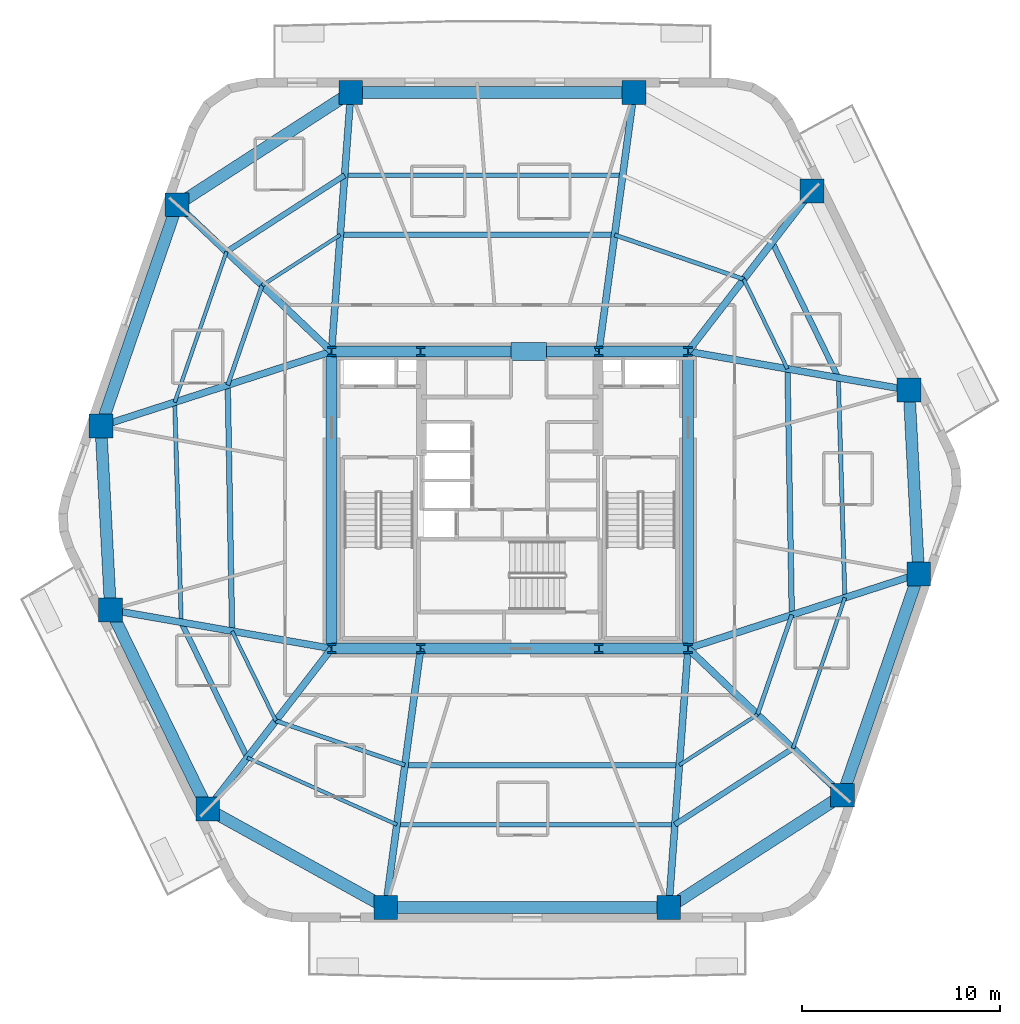
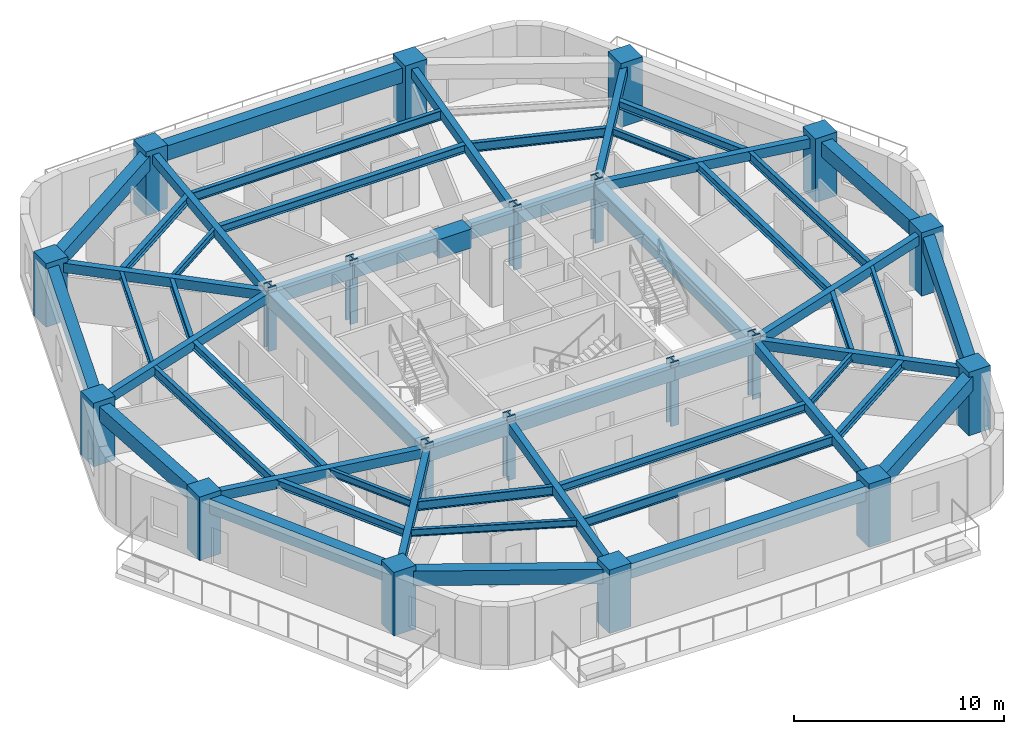
# One storey, part 1 of 9: 54 beams, 20 columns.
"""IFC4 building model written with IfcOpenShell, lengths in metres."""

import ifcopenshell
import ifcopenshell.guid

model = None  # the IFC model being written
_history = None  # IfcOwnerHistory: only IFC2X3 demands one
_inside = {}  # id of a spatial element -> (the spatial element, [elements in it])
_under = {}  # id of a project, library or spatial element -> (it, [spatial elements below it])
_declared = {}  # id of a project -> (the project, [libraries it declares])
_typed = {}  # id of a type object -> (the type object, [elements of that type])
_made_of = {}  # id of a material, layer set ... -> (it, [elements and type objects made of it])


def new_model(schema):
    """Start an empty IFC model of exactly this schema.

    Asked for "IFC4X3", IfcOpenShell would pick the latest addendum, in which some entities
    have other attributes; the version numbers below select the first issue.
    IFC2X3 requires an IfcOwnerHistory on every rooted entity: one is made here for all.
    """
    global model, _history
    if schema == "IFC4X3":
        model = ifcopenshell.file(schema_version=(4, 3, 0, 0))
    else:
        model = ifcopenshell.file(schema=schema)
    _inside.clear()
    _under.clear()
    _declared.clear()
    _typed.clear()
    _made_of.clear()
    _history = None
    if model.schema == "IFC2X3":
        org = make("IfcOrganization", Name="unknown")
        user = make(
            "IfcPersonAndOrganization",
            ThePerson=make("IfcPerson", FamilyName="unknown"),
            TheOrganization=org,
        )
        app = make(
            "IfcApplication",
            ApplicationDeveloper=org,
            Version="unknown",
            ApplicationFullName="unknown",
            ApplicationIdentifier="unknown",
        )
        _history = make(
            "IfcOwnerHistory",
            OwningUser=user,
            OwningApplication=app,
            ChangeAction="ADDED",
            CreationDate=0,
        )
    return model


def make(cls, **values):
    """One entity of the class cls with the attributes given. An attribute that is None is left unset."""
    return model.create_entity(
        cls, **{name: value for name, value in values.items() if value is not None}
    )


def rooted(cls, **values):
    """An entity with a GlobalId (a new one), such as an element, a storey or a relation."""
    return make(cls, GlobalId=ifcopenshell.guid.new(), OwnerHistory=_history, **values)


def si_unit(unit_type, name, prefix=None):
    """IfcSIUnit, for example si_unit("LENGTHUNIT", "METRE", prefix="MILLI")."""
    return make("IfcSIUnit", UnitType=unit_type, Prefix=prefix, Name=name)


def assignment(units):
    """IfcUnitAssignment: the units of a project."""
    return None if units is None else make("IfcUnitAssignment", Units=units)


def point(xyz):
    """IfcCartesianPoint."""
    return None if xyz is None else make("IfcCartesianPoint", Coordinates=xyz)


def direction(xyz):
    """IfcDirection."""
    return None if xyz is None else make("IfcDirection", DirectionRatios=xyz)


def frame(location, z_axis=None, x_axis=None):
    """IfcAxis2Placement3D, a coordinate frame: its origin and axes. An axis left out is left unset."""
    return make(
        "IfcAxis2Placement3D",
        Location=point(location),
        Axis=direction(z_axis),
        RefDirection=direction(x_axis),
    )


def frame_2d(location, x_axis=None):
    """IfcAxis2Placement2D, a coordinate frame in the plane: its origin and x axis."""
    return make(
        "IfcAxis2Placement2D", Location=point(location), RefDirection=direction(x_axis)
    )


def origin():
    """The frame at (0, 0, 0) with its axes left unset."""
    return frame((0.0, 0.0, 0.0))


def origin_2d():
    """The frame at (0, 0) in the plane with its x axis left unset."""
    return frame_2d((0.0, 0.0))


def place(relative_to, where):
    """IfcLocalPlacement: puts the frame where relative to a parent placement (None: the world)."""
    return make(
        "IfcLocalPlacement", PlacementRelTo=relative_to, RelativePlacement=where
    )


def context(
    kind, dimensions, precision=None, world=None, true_north=None, identifier=None
):
    """IfcGeometricRepresentationContext, for example the 3D "Model" context."""
    return make(
        "IfcGeometricRepresentationContext",
        ContextIdentifier=identifier,
        ContextType=kind,
        CoordinateSpaceDimension=dimensions,
        Precision=precision,
        WorldCoordinateSystem=world,
        TrueNorth=true_north,
    )


def subcontext(parent, identifier, kind, view, scale=None):
    """IfcGeometricRepresentationSubContext, for example "Body" below "Model"."""
    return make(
        "IfcGeometricRepresentationSubContext",
        ContextIdentifier=identifier,
        ContextType=kind,
        ParentContext=parent,
        TargetScale=scale,
        TargetView=view,
    )


def project(units=None, contexts=None):
    """IfcProject with its units and contexts."""
    return rooted(
        "IfcProject",
        Name="project",
        RepresentationContexts=contexts,
        UnitsInContext=assignment(units),
    )


def spatial(cls, under=None, at=None, **own):
    """A site, building, storey or space (cls), placed at a placement, below another one or the project."""
    s = rooted(cls, ObjectPlacement=at, **own)
    if under is not None:
        _under.setdefault(under.id(), (under, []))[1].append(s)
    return s


def profile(cls, at=None, kind="AREA", **sizes):
    """A parametric profile (cls). Its sizes go by their IFC names, for example OverallWidth=200.0."""
    return make(cls, ProfileType=kind, Position=at, **sizes)


def rectangle(**sizes):
    """IfcRectangleProfileDef."""
    return profile("IfcRectangleProfileDef", **sizes)


def i_section(**sizes):
    """IfcIShapeProfileDef."""
    return profile("IfcIShapeProfileDef", **sizes)


def extrude(swept, where, along, depth):
    """IfcExtrudedAreaSolid: the profile swept, set in the frame where, extruded along a direction by depth."""
    return make(
        "IfcExtrudedAreaSolid",
        SweptArea=swept,
        Position=where,
        ExtrudedDirection=direction(along),
        Depth=depth,
    )


def shape(context_of_items, identifier, shape_type, items):
    """IfcShapeRepresentation: the items that make up one representation, for example the "Body"."""
    return make(
        "IfcShapeRepresentation",
        ContextOfItems=context_of_items,
        RepresentationIdentifier=identifier,
        RepresentationType=shape_type,
        Items=items,
    )


def material(Name=None, Category=None):
    """IfcMaterial."""
    return make("IfcMaterial", Name=Name, Category=Category)


def material_profile(
    of_material, cross_section, Name=None, Category=None, Priority=None
):
    """IfcMaterialProfile: a cross section and its material."""
    return make(
        "IfcMaterialProfile",
        Name=Name,
        Material=of_material,
        Profile=cross_section,
        Priority=Priority,
        Category=Category,
    )


def profile_set(profiles, Name=None, composite=None):
    """IfcMaterialProfileSet."""
    return make(
        "IfcMaterialProfileSet",
        Name=Name,
        MaterialProfiles=profiles,
        CompositeProfile=composite,
    )


def made_of(thing, what):
    """Note that an element or type object is made of a material, layer set ...; save() writes the relation."""
    if what is not None:
        _made_of.setdefault(what.id(), (what, []))[1].append(thing)
    return thing


def type_object(cls, material=None, **own):
    """A type object (cls), such as IfcWallType, which elements share."""
    return made_of(rooted(cls, **own), material)


def element(
    cls,
    number,
    at=None,
    inside=None,
    cuts=None,
    type_object=None,
    material=None,
    context=None,
    identifier="Body",
    shape_type=None,
    held_by="IfcProductDefinitionShape",
    body=None,
    shapes=None,
    **own,
):
    """One element of the class cls, such as IfcWall. Its Tag is "e" and its number.

    at: its placement. inside: the storey or other place that contains it. cuts: it is an
    opening in that element (IfcRelVoidsElement). A single representation is given by context,
    identifier, shape_type and body (its items); several are given by shapes. held_by: the class
    of the entity that holds the representations. save() writes the other relations.
    """
    e = rooted(cls, Tag="e%d" % number, ObjectPlacement=at, **own)
    if body is not None:
        shapes = [shape(context, identifier, shape_type, body)]
    if shapes is not None:
        e.Representation = make(held_by, Representations=shapes)
    if inside is not None:
        _inside.setdefault(inside.id(), (inside, []))[1].append(e)
    if cuts is not None:
        rooted(
            "IfcRelVoidsElement", RelatingBuildingElement=cuts, RelatedOpeningElement=e
        )
    if type_object is not None:
        _typed.setdefault(type_object.id(), (type_object, []))[1].append(e)
    return made_of(e, material)


def aggregate(whole, parts):
    """IfcRelAggregates: a whole, such as a stair, and the parts it consists of."""
    return rooted("IfcRelAggregates", RelatingObject=whole, RelatedObjects=parts)


def save(model, path):
    """Write the relations noted so far, then the file.

    IfcRelAggregates (storeys below a building ...), IfcRelContainedInSpatialStructure (elements
    in a storey), IfcRelDefinesByType, IfcRelAssociatesMaterial and IfcRelDeclares: one each for
    every whole, place, type object, material and project.
    """
    for whole, parts in _under.values():
        aggregate(whole, parts)
    for where, things in _inside.values():
        rooted(
            "IfcRelContainedInSpatialStructure",
            RelatedElements=things,
            RelatingStructure=where,
        )
    for kind, things in _typed.values():
        rooted("IfcRelDefinesByType", RelatedObjects=things, RelatingType=kind)
    for what, things in _made_of.values():
        rooted("IfcRelAssociatesMaterial", RelatedObjects=things, RelatingMaterial=what)
    for by, libraries in _declared.values():
        rooted("IfcRelDeclares", RelatingContext=by, RelatedDefinitions=libraries)
    model.write(path)


model = new_model("IFC4")

# Units and contexts
model_context = context("Model", 3, precision=1e-05, world=origin(), true_north=direction((0.0, 1.0)))
body_context = subcontext(model_context, "Body", "Model", "MODEL_VIEW")
ifc_project = project(units=[si_unit("LENGTHUNIT", "METRE"), si_unit("AREAUNIT", "SQUARE_METRE"), si_unit("VOLUMEUNIT", "CUBIC_METRE"), si_unit("PLANEANGLEUNIT", "RADIAN"), si_unit("MASSUNIT", "GRAM", prefix="KILO")], contexts=[model_context])

# Site, building, storey
site_placement = place(None, origin())
site = spatial("IfcSite", under=ifc_project, at=site_placement, CompositionType="ELEMENT")
building_placement = place(site_placement, origin())
building = spatial("IfcBuilding", under=site, at=building_placement, Name="Kilnhurst Terrace Hotel", CompositionType="ELEMENT")
storey_placement = place(building_placement, frame((0.0, 0.0, 128.39990234375)))
storey = spatial("IfcBuildingStorey", under=building, at=storey_placement, Name="L31", CompositionType="ELEMENT", Elevation=128.39990234375)

# Columns
ifc_material_1 = material(Name="Concrete C80/95", Category="concrete")
ifc_material_profile_1 = material_profile(ifc_material_1, rectangle(XDim=1.199951171875, YDim=1.199951171875, at=origin_2d()), Name="RC1200X1200")
ifc_profile_set_1 = profile_set([ifc_material_profile_1], Name="Concrete C80/95")
column_type_1 = type_object("IfcColumnType", Name="COL-RC-1200", PredefinedType="COLUMN", material=ifc_profile_set_1)
for number, where, z_axis, x_axis, name in (
    (1, (-6.26806640625, -20.580078125, 0.0), (0.0, 0.0, 1.0), (1.0, 0.0, 0.0), "L31 Structural Column PC-F11"),
    (2, (8.028076171875, -20.580078125, 0.0), (0.0, 0.0, 1.0), (1.0, 0.0, 0.0), "L31 Structural Column PC-F12"),
    (3, (16.800048828125, -14.910888671875, 0.0), (0.0, 0.0, 1.0), (1.0, 0.0, 0.0), "L31 Structural Column PC-F21"),
    (4, (20.64990234375, -3.73095703125, 0.0), (0.0, 0.0, 1.0), (1.0, 0.0, 0.0), "L31 Structural Column PC-F22"),
    (5, (20.1640625, 5.549072265625, 0.0), (0.0, 0.0, 1.0), (1.0, 0.0, 0.0), "L31 Structural Column PC-F31"),
    (6, (15.257080078125, 15.60888671875, 0.0), (0.0, 0.0, 1.0), (1.0, 0.0, 0.0), "L31 Structural Column PC-F32"),
    (7, (6.26806640625, 20.580078125, 0.0), (0.0, 0.0, 1.0), (1.0, 0.0, 0.0), "L31 Structural Column PC-F41"),
    (8, (-8.028076171875, 20.580078125, 0.0), (0.0, 0.0, 1.0), (1.0, 0.0, 0.0), "L31 Structural Column PC-F42"),
    (9, (-16.800048828125, 14.910888671875, 0.0), (0.0, 0.0, 1.0), (1.0, 0.0, 0.0), "L31 Structural Column PC-F51"),
    (10, (-20.64990234375, 3.73095703125, 0.0), (0.0, 0.0, 1.0), (1.0, 0.0, 0.0), "L31 Structural Column PC-F52"),
    (11, (-20.1640625, -5.549072265625, 0.0), (0.0, 0.0, 1.0), (1.0, 0.0, 0.0), "L31 Structural Column PC-F61"),
    (12, (-15.257080078125, -15.60888671875, 0.0), (0.0, 0.0, 1.0), (1.0, 0.0, 0.0), "L31 Structural Column PC-F62"),
):
    element("IfcColumn", number, at=place(storey_placement, frame(where, z_axis=z_axis, x_axis=x_axis)), inside=storey, type_object=column_type_1, Name=name, PredefinedType="COLUMN", context=body_context, shape_type="SweptSolid", body=[
        extrude(rectangle(XDim=1.199951171875, YDim=1.199951171875, at=origin_2d()), origin(), (0.0, 0.0, 1.0), 3.7001953125),
    ])
ifc_material_2 = material(Name="Steel ASTM A992 Grade 50", Category="steel")
ifc_material_profile_2 = material_profile(ifc_material_2, i_section(OverallWidth=0.43212890625, OverallDepth=0.497802734375, WebThickness=0.0556640625, FlangeThickness=0.0888671875, at=origin_2d()), Name="W14X500")
ifc_profile_set_2 = profile_set([ifc_material_profile_2], Name="Steel ASTM A992 Grade 50")
column_type_2 = type_object("IfcColumnType", Name="COL-STL-W14X500", PredefinedType="COLUMN", material=ifc_profile_set_2)
for number, where, z_axis, x_axis, name in (
    (13, (-9.0, -7.5, 0.0), (0.0, 0.0, 1.0), (1.0, 0.0, 0.0), "L31 Structural Column CC-SW"),
    (14, (-4.5, -7.5, 0.0), (0.0, 0.0, 1.0), (1.0, 0.0, 0.0), "L31 Structural Column CC-SC1"),
    (15, (4.5, -7.5, 0.0), (0.0, 0.0, 1.0), (1.0, 0.0, 0.0), "L31 Structural Column CC-SC2"),
    (16, (9.0, -7.5, 0.0), (0.0, 0.0, 1.0), (1.0, 0.0, 0.0), "L31 Structural Column CC-SE"),
    (17, (9.0, 7.5, 0.0), (0.0, 0.0, 1.0), (1.0, 0.0, 0.0), "L31 Structural Column CC-NE"),
    (18, (4.5, 7.5, 0.0), (0.0, 0.0, 1.0), (1.0, 0.0, 0.0), "L31 Structural Column CC-NC2"),
    (19, (-4.5, 7.5, 0.0), (0.0, 0.0, 1.0), (1.0, 0.0, 0.0), "L31 Structural Column CC-NC1"),
    (20, (-9.0, 7.5, 0.0), (0.0, 0.0, 1.0), (1.0, 0.0, 0.0), "L31 Structural Column CC-NW"),
):
    element("IfcColumn", number, at=place(storey_placement, frame(where, z_axis=z_axis, x_axis=x_axis)), inside=storey, type_object=column_type_2, Name=name, PredefinedType="COLUMN", context=body_context, shape_type="SweptSolid", body=[
        extrude(i_section(OverallWidth=0.43212890625, OverallDepth=0.497802734375, WebThickness=0.0556640625, FlangeThickness=0.0888671875, at=origin_2d()), origin(), (0.0, 0.0, 1.0), 3.7001953125),
    ])

# Beams
ifc_material_3 = material(Name="Concrete C50/60", Category="concrete")
ifc_material_profile_3 = material_profile(ifc_material_3, rectangle(XDim=0.35009765625, YDim=0.550048828125, at=origin_2d()), Name="RC350X550")
ifc_profile_set_3 = profile_set([ifc_material_profile_3], Name="Concrete C50/60")
beam_type_1 = type_object("IfcBeamType", Name="BM-RAD-350X550", PredefinedType="BEAM", material=ifc_profile_set_3)
beam_1_placement = place(storey_placement, frame((-4.5, -7.5, 3.125), z_axis=(-0.133954226177, -0.990987520249, 0.0), x_axis=(0.990987520249, -0.133954226177, 0.0)))
element("IfcBeam", 21, at=beam_1_placement, inside=storey, type_object=beam_type_1, Name="L31 Radial Floor Beam 1", PredefinedType="BEAM", context=body_context, shape_type="SweptSolid", body=[
    extrude(rectangle(XDim=0.35009765625, YDim=0.550048828125, at=origin_2d()), origin(), (0.0, 0.0, 1.0), 13.198974609375),
])
beam_2_placement = place(storey_placement, frame((9.0, -7.5, 3.125), z_axis=(-0.074101371747, -0.997250714066, 0.0), x_axis=(0.997250714066, -0.074101371747, 0.0)))
element("IfcBeam", 22, at=beam_2_placement, inside=storey, type_object=beam_type_1, Name="L31 Radial Floor Beam 2", PredefinedType="BEAM", context=body_context, shape_type="SweptSolid", body=[
    extrude(rectangle(XDim=0.35009765625, YDim=0.550048828125, at=origin_2d()), origin(), (0.0, 0.0, 1.0), 13.1162109375),
])
beam_3_placement = place(storey_placement, frame((9.0, -7.5, 3.125), z_axis=(0.724960341586, -0.688790609059, 0.0), x_axis=(0.688790609059, 0.724960341586, 0.0)))
element("IfcBeam", 23, at=beam_3_placement, inside=storey, type_object=beam_type_1, Name="L31 Radial Floor Beam 3", PredefinedType="BEAM", context=body_context, shape_type="SweptSolid", body=[
    extrude(rectangle(XDim=0.35009765625, YDim=0.550048828125, at=origin_2d()), origin(), (0.0, 0.0, 1.0), 10.75927734375),
])
beam_4_placement = place(storey_placement, frame((9.0, -7.5, 3.125), z_axis=(0.951445549065, 0.307817100182, 0.0), x_axis=(-0.307817100182, 0.951445549065, 0.0)))
element("IfcBeam", 24, at=beam_4_placement, inside=storey, type_object=beam_type_1, Name="L31 Radial Floor Beam 4", PredefinedType="BEAM", context=body_context, shape_type="SweptSolid", body=[
    extrude(rectangle(XDim=0.35009765625, YDim=0.550048828125, at=origin_2d()), origin(), (0.0, 0.0, 1.0), 12.244384765625),
])
beam_5_placement = place(storey_placement, frame((9.0, 7.5, 3.125), z_axis=(0.985072137567, -0.172142045384, 0.0), x_axis=(0.172142045384, 0.985072137567, 0.0)))
element("IfcBeam", 25, at=beam_5_placement, inside=storey, type_object=beam_type_1, Name="L31 Radial Floor Beam 5", PredefinedType="BEAM", context=body_context, shape_type="SweptSolid", body=[
    extrude(rectangle(XDim=0.35009765625, YDim=0.550048828125, at=origin_2d()), origin(), (0.0, 0.0, 1.0), 11.333251953125),
])
beam_6_placement = place(storey_placement, frame((9.0, 7.5, 3.125), z_axis=(0.610904638371, 0.79170418896, 0.0), x_axis=(-0.79170418896, 0.610904638371, 0.0)))
element("IfcBeam", 26, at=beam_6_placement, inside=storey, type_object=beam_type_1, Name="L31 Radial Floor Beam 6", PredefinedType="BEAM", context=body_context, shape_type="SweptSolid", body=[
    extrude(rectangle(XDim=0.35009765625, YDim=0.550048828125, at=origin_2d()), origin(), (0.0, 0.0, 1.0), 10.242431640625),
])
beam_7_placement = place(storey_placement, frame((4.5, 7.5, 3.125), z_axis=(0.133954226177, 0.990987520249, 0.0), x_axis=(-0.990987520249, 0.133954226177, 0.0)))
element("IfcBeam", 27, at=beam_7_placement, inside=storey, type_object=beam_type_1, Name="L31 Radial Floor Beam 7", PredefinedType="BEAM", context=body_context, shape_type="SweptSolid", body=[
    extrude(rectangle(XDim=0.35009765625, YDim=0.550048828125, at=origin_2d()), origin(), (0.0, 0.0, 1.0), 13.198974609375),
])
beam_8_placement = place(storey_placement, frame((-9.0, 7.5, 3.125), z_axis=(0.074101371747, 0.997250714066, 0.0), x_axis=(-0.997250714066, 0.074101371747, 0.0)))
element("IfcBeam", 28, at=beam_8_placement, inside=storey, type_object=beam_type_1, Name="L31 Radial Floor Beam 8", PredefinedType="BEAM", context=body_context, shape_type="SweptSolid", body=[
    extrude(rectangle(XDim=0.35009765625, YDim=0.550048828125, at=origin_2d()), origin(), (0.0, 0.0, 1.0), 13.1162109375),
])
beam_9_placement = place(storey_placement, frame((-9.0, 7.5, 3.125), z_axis=(-0.724960341586, 0.688790609059, 0.0), x_axis=(-0.688790609059, -0.724960341586, 0.0)))
element("IfcBeam", 29, at=beam_9_placement, inside=storey, type_object=beam_type_1, Name="L31 Radial Floor Beam 9", PredefinedType="BEAM", context=body_context, shape_type="SweptSolid", body=[
    extrude(rectangle(XDim=0.35009765625, YDim=0.550048828125, at=origin_2d()), origin(), (0.0, 0.0, 1.0), 10.75927734375),
])
beam_10_placement = place(storey_placement, frame((-9.0, 7.5, 3.125), z_axis=(-0.951445549065, -0.307817100182, 0.0), x_axis=(0.307817100182, -0.951445549065, 0.0)))
element("IfcBeam", 30, at=beam_10_placement, inside=storey, type_object=beam_type_1, Name="L31 Radial Floor Beam 10", PredefinedType="BEAM", context=body_context, shape_type="SweptSolid", body=[
    extrude(rectangle(XDim=0.35009765625, YDim=0.550048828125, at=origin_2d()), origin(), (0.0, 0.0, 1.0), 12.244384765625),
])
beam_11_placement = place(storey_placement, frame((-9.0, -7.5, 3.125), z_axis=(-0.985072137567, 0.172142045384, 0.0), x_axis=(-0.172142045384, -0.985072137567, 0.0)))
element("IfcBeam", 31, at=beam_11_placement, inside=storey, type_object=beam_type_1, Name="L31 Radial Floor Beam 11", PredefinedType="BEAM", context=body_context, shape_type="SweptSolid", body=[
    extrude(rectangle(XDim=0.35009765625, YDim=0.550048828125, at=origin_2d()), origin(), (0.0, 0.0, 1.0), 11.333251953125),
])
beam_12_placement = place(storey_placement, frame((-9.0, -7.5, 3.125), z_axis=(-0.610904638371, -0.79170418896, 0.0), x_axis=(0.79170418896, -0.610904638371, 0.0)))
element("IfcBeam", 32, at=beam_12_placement, inside=storey, type_object=beam_type_1, Name="L31 Radial Floor Beam 12", PredefinedType="BEAM", context=body_context, shape_type="SweptSolid", body=[
    extrude(rectangle(XDim=0.35009765625, YDim=0.550048828125, at=origin_2d()), origin(), (0.0, 0.0, 1.0), 10.242431640625),
])
ifc_material_profile_4 = material_profile(ifc_material_3, rectangle(XDim=0.550048828125, YDim=0.75, at=origin_2d()), Name="RC550X750")
ifc_profile_set_4 = profile_set([ifc_material_profile_4], Name="Concrete C50/60")
beam_type_2 = type_object("IfcBeamType", Name="BM-SPN-550X750", PredefinedType="SPANDREL", material=ifc_profile_set_4)
beam_13_placement = place(storey_placement, frame((-9.0, 7.5, 3.025146484375), z_axis=(1.0, 0.0, 0.0), x_axis=(0.0, 1.0, 0.0)))
element("IfcBeam", 33, at=beam_13_placement, inside=storey, type_object=beam_type_2, Name="L31 Core Tie Beam CC-NW to CC-NC1", PredefinedType="SPANDREL", context=body_context, shape_type="SweptSolid", body=[
    extrude(rectangle(XDim=0.550048828125, YDim=0.75, at=origin_2d()), origin(), (0.0, 0.0, 1.0), 4.5),
])
beam_14_placement = place(storey_placement, frame((-4.5, 7.5, 3.025146484375), z_axis=(1.0, 0.0, 0.0), x_axis=(0.0, 1.0, 0.0)))
element("IfcBeam", 34, at=beam_14_placement, inside=storey, type_object=beam_type_2, Name="L31 Core Tie Beam CC-NC1 to CC-NC2", PredefinedType="SPANDREL", context=body_context, shape_type="SweptSolid", body=[
    extrude(rectangle(XDim=0.550048828125, YDim=0.75, at=origin_2d()), origin(), (0.0, 0.0, 1.0), 9.0),
])
for number, where, z_axis, x_axis, name in (
    (35, (4.5, 7.5, 3.025146484375), (1.0, 0.0, 0.0), (0.0, 1.0, 0.0), "L31 Core Tie Beam CC-NC2 to CC-NE"),
    (36, (-9.0, -7.5, 3.025146484375), (1.0, 0.0, 0.0), (0.0, 1.0, 0.0), "L31 Core Tie Beam CC-SW to CC-SC1"),
):
    element("IfcBeam", number, at=place(storey_placement, frame(where, z_axis=z_axis, x_axis=x_axis)), inside=storey, type_object=beam_type_2, Name=name, PredefinedType="SPANDREL", context=body_context, shape_type="SweptSolid", body=[
        extrude(rectangle(XDim=0.550048828125, YDim=0.75, at=origin_2d()), origin(), (0.0, 0.0, 1.0), 4.5),
    ])
beam_15_placement = place(storey_placement, frame((-4.5, -7.5, 3.025146484375), z_axis=(1.0, 0.0, 0.0), x_axis=(0.0, 1.0, 0.0)))
element("IfcBeam", 37, at=beam_15_placement, inside=storey, type_object=beam_type_2, Name="L31 Core Tie Beam CC-SC1 to CC-SC2", PredefinedType="SPANDREL", context=body_context, shape_type="SweptSolid", body=[
    extrude(rectangle(XDim=0.550048828125, YDim=0.75, at=origin_2d()), origin(), (0.0, 0.0, 1.0), 9.0),
])
beam_16_placement = place(storey_placement, frame((4.5, -7.5, 3.025146484375), z_axis=(1.0, 0.0, 0.0), x_axis=(0.0, 1.0, 0.0)))
element("IfcBeam", 38, at=beam_16_placement, inside=storey, type_object=beam_type_2, Name="L31 Core Tie Beam CC-SC2 to CC-SE", PredefinedType="SPANDREL", context=body_context, shape_type="SweptSolid", body=[
    extrude(rectangle(XDim=0.550048828125, YDim=0.75, at=origin_2d()), origin(), (0.0, 0.0, 1.0), 4.5),
])
for number, where, z_axis, x_axis, name in (
    (39, (-9.0, -7.5, 3.025146484375), (0.0, 1.0, 0.0), (-1.0, 0.0, 0.0), "L31 Core Tie Beam CC-SW to CC-NW"),
    (40, (9.0, -7.5, 3.025146484375), (0.0, 1.0, 0.0), (-1.0, 0.0, 0.0), "L31 Core Tie Beam CC-SE to CC-NE"),
):
    element("IfcBeam", number, at=place(storey_placement, frame(where, z_axis=z_axis, x_axis=x_axis)), inside=storey, type_object=beam_type_2, Name=name, PredefinedType="SPANDREL", context=body_context, shape_type="SweptSolid", body=[
        extrude(rectangle(XDim=0.550048828125, YDim=0.75, at=origin_2d()), origin(), (0.0, 0.0, 1.0), 15.0),
    ])
ifc_material_profile_5 = material_profile(ifc_material_3, rectangle(XDim=0.60009765625, YDim=0.85009765625, at=origin_2d()), Name="RC600X850")
ifc_profile_set_5 = profile_set([ifc_material_profile_5], Name="Concrete C50/60")
beam_type_3 = type_object("IfcBeamType", Name="BM-SPN-600X850", PredefinedType="SPANDREL", material=ifc_profile_set_5)
beam_17_placement = place(storey_placement, frame((-6.26806640625, -20.580078125, 2.97509765625), z_axis=(1.0, 0.0, 0.0), x_axis=(0.0, 1.0, 0.0)))
element("IfcBeam", 41, at=beam_17_placement, inside=storey, type_object=beam_type_3, Name="L31 Perimeter Spandrel Beam 1", PredefinedType="SPANDREL", context=body_context, shape_type="SweptSolid", body=[
    extrude(rectangle(XDim=0.60009765625, YDim=0.85009765625, at=origin_2d()), origin(), (0.0, 0.0, 1.0), 14.296142578125),
])
beam_18_placement = place(storey_placement, frame((8.028076171875, -20.580078125, 2.97509765625), z_axis=(0.839866667472, 0.542792760517, 0.0), x_axis=(-0.542792760517, 0.839866667472, 0.0)))
element("IfcBeam", 42, at=beam_18_placement, inside=storey, type_object=beam_type_3, Name="L31 Perimeter Spandrel Beam 2", PredefinedType="SPANDREL", context=body_context, shape_type="SweptSolid", body=[
    extrude(rectangle(XDim=0.60009765625, YDim=0.85009765625, at=origin_2d()), origin(), (0.0, 0.0, 1.0), 10.444580078125),
])
beam_19_placement = place(storey_placement, frame((16.800048828125, -14.910888671875, 2.97509765625), z_axis=(0.325590408593, 0.945510912593, 0.0), x_axis=(-0.945510912593, 0.325590408593, 0.0)))
element("IfcBeam", 43, at=beam_19_placement, inside=storey, type_object=beam_type_3, Name="L31 Perimeter Spandrel Beam 3", PredefinedType="SPANDREL", context=body_context, shape_type="SweptSolid", body=[
    extrude(rectangle(XDim=0.60009765625, YDim=0.85009765625, at=origin_2d()), origin(), (0.0, 0.0, 1.0), 11.82421875),
])
beam_20_placement = place(storey_placement, frame((20.64990234375, -3.73095703125, 2.97509765625), z_axis=(-0.052281666706, 0.998632378469, 0.0), x_axis=(-0.998632378469, -0.052281666706, 0.0)))
element("IfcBeam", 44, at=beam_20_placement, inside=storey, type_object=beam_type_3, Name="L31 Perimeter Spandrel Beam 4", PredefinedType="SPANDREL", context=body_context, shape_type="SweptSolid", body=[
    extrude(rectangle(XDim=0.60009765625, YDim=0.85009765625, at=origin_2d()), origin(), (0.0, 0.0, 1.0), 9.292724609375),
])
beam_21_placement = place(storey_placement, frame((6.26806640625, 20.580078125, 2.97509765625), z_axis=(-1.0, 0.0, 0.0), x_axis=(0.0, -1.0, 0.0)))
element("IfcBeam", 45, at=beam_21_placement, inside=storey, type_object=beam_type_3, Name="L31 Perimeter Spandrel Beam 7", PredefinedType="SPANDREL", context=body_context, shape_type="SweptSolid", body=[
    extrude(rectangle(XDim=0.60009765625, YDim=0.85009765625, at=origin_2d()), origin(), (0.0, 0.0, 1.0), 14.296142578125),
])
beam_22_placement = place(storey_placement, frame((-8.028076171875, 20.580078125, 2.97509765625), z_axis=(-0.839866667472, -0.542792760517, 0.0), x_axis=(0.542792760517, -0.839866667472, 0.0)))
element("IfcBeam", 46, at=beam_22_placement, inside=storey, type_object=beam_type_3, Name="L31 Perimeter Spandrel Beam 8", PredefinedType="SPANDREL", context=body_context, shape_type="SweptSolid", body=[
    extrude(rectangle(XDim=0.60009765625, YDim=0.85009765625, at=origin_2d()), origin(), (0.0, 0.0, 1.0), 10.444580078125),
])
beam_23_placement = place(storey_placement, frame((-16.800048828125, 14.910888671875, 2.97509765625), z_axis=(-0.325590408593, -0.945510912593, 0.0), x_axis=(0.945510912593, -0.325590408593, 0.0)))
element("IfcBeam", 47, at=beam_23_placement, inside=storey, type_object=beam_type_3, Name="L31 Perimeter Spandrel Beam 9", PredefinedType="SPANDREL", context=body_context, shape_type="SweptSolid", body=[
    extrude(rectangle(XDim=0.60009765625, YDim=0.85009765625, at=origin_2d()), origin(), (0.0, 0.0, 1.0), 11.82421875),
])
beam_24_placement = place(storey_placement, frame((-20.64990234375, 3.73095703125, 2.97509765625), z_axis=(0.052281666706, -0.998632378469, 0.0), x_axis=(0.998632378469, 0.052281666706, 0.0)))
element("IfcBeam", 48, at=beam_24_placement, inside=storey, type_object=beam_type_3, Name="L31 Perimeter Spandrel Beam 10", PredefinedType="SPANDREL", context=body_context, shape_type="SweptSolid", body=[
    extrude(rectangle(XDim=0.60009765625, YDim=0.85009765625, at=origin_2d()), origin(), (0.0, 0.0, 1.0), 9.292724609375),
])
beam_25_placement = place(storey_placement, frame((-20.1640625, -5.549072265625, 2.97509765625), z_axis=(0.438406012271, -0.89877704043, 0.0), x_axis=(0.89877704043, 0.438406012271, 0.0)))
element("IfcBeam", 49, at=beam_25_placement, inside=storey, type_object=beam_type_3, Name="L31 Perimeter Spandrel Beam 11", PredefinedType="SPANDREL", context=body_context, shape_type="SweptSolid", body=[
    extrude(rectangle(XDim=0.60009765625, YDim=0.85009765625, at=origin_2d()), origin(), (0.0, 0.0, 1.0), 11.19287109375),
])
beam_26_placement = place(storey_placement, frame((-15.257080078125, -15.60888671875, 2.97509765625), z_axis=(0.875094010429, -0.483952965598, 0.0), x_axis=(0.483952965598, 0.875094010429, 0.0)))
element("IfcBeam", 50, at=beam_26_placement, inside=storey, type_object=beam_type_3, Name="L31 Perimeter Spandrel Beam 12", PredefinedType="SPANDREL", context=body_context, shape_type="SweptSolid", body=[
    extrude(rectangle(XDim=0.60009765625, YDim=0.85009765625, at=origin_2d()), origin(), (0.0, 0.0, 1.0), 10.27197265625),
])
ifc_material_profile_6 = material_profile(ifc_material_2, i_section(OverallWidth=0.180908203125, OverallDepth=0.417236328125, WebThickness=0.010986328125, FlangeThickness=0.018310546875, at=origin_2d()), Name="W16X57")
ifc_profile_set_6 = profile_set([ifc_material_profile_6], Name="Steel ASTM A992 Grade 50")
beam_type_4 = type_object("IfcBeamType", Name="JST-STL-W16X57", PredefinedType="JOIST", material=ifc_profile_set_6)
for number, where, z_axis, x_axis, name in (
    (51, (14.303955078125, -12.53955078125, 3.191162109375), (0.325612620381, 0.945503263584, 0.0), (-0.945503263584, 0.325612620381, 0.0), "L31 Secondary Floor Steel Joist OUT.3"),
    (52, (-14.303955078125, 12.53955078125, 3.191162109375), (-0.325612620381, -0.945503263584, 0.0), (0.945503263584, -0.325612620381, 0.0), "L31 Secondary Floor Steel Joist OUT.9"),
):
    element("IfcBeam", number, at=place(storey_placement, frame(where, z_axis=z_axis, x_axis=x_axis)), inside=storey, type_object=beam_type_4, Name=name, PredefinedType="JOIST", context=body_context, shape_type="SweptSolid", body=[
        extrude(i_section(OverallWidth=0.180908203125, OverallDepth=0.417236328125, WebThickness=0.010986328125, FlangeThickness=0.018310546875, at=origin_2d()), origin(), (0.0, 0.0, 1.0), 8.040771484375),
    ])
beam_27_placement = place(storey_placement, frame((-13.2548828125, -13.01416015625, 3.191162109375), z_axis=(0.912760935806, -0.408494154262, 0.0), x_axis=(0.408494154262, 0.912760935806, 0.0)))
element("IfcBeam", 53, at=beam_27_placement, inside=storey, type_object=beam_type_4, Name="L31 Secondary Floor Steel Joist OUT.12", PredefinedType="JOIST", context=body_context, shape_type="SweptSolid", body=[
    extrude(i_section(OverallWidth=0.180908203125, OverallDepth=0.417236328125, WebThickness=0.010986328125, FlangeThickness=0.018310546875, at=origin_2d()), origin(), (0.0, 0.0, 1.0), 8.274658203125),
])
beam_28_placement = place(storey_placement, frame((8.5625, -13.385986328125, 3.191162109375), z_axis=(0.839884974974, 0.542764432155, 0.0), x_axis=(-0.542764432155, 0.839884974974, 0.0)))
element("IfcBeam", 54, at=beam_28_placement, inside=storey, type_object=beam_type_4, Name="L31 Secondary Floor Steel Joist IN.2", PredefinedType="JOIST", context=body_context, shape_type="SweptSolid", body=[
    extrude(i_section(OverallWidth=0.180908203125, OverallDepth=0.417236328125, WebThickness=0.010986328125, FlangeThickness=0.018310546875, at=origin_2d()), origin(), (0.0, 0.0, 1.0), 4.699951171875),
])
beam_29_placement = place(storey_placement, frame((14.023681640625, 6.6220703125, 3.191162109375), z_axis=(-0.438389251087, 0.898785216017, 0.0), x_axis=(-0.898785216017, -0.438389251087, 0.0)))
element("IfcBeam", 55, at=beam_29_placement, inside=storey, type_object=beam_type_4, Name="L31 Secondary Floor Steel Joist IN.5", PredefinedType="JOIST", context=body_context, shape_type="SweptSolid", body=[
    extrude(i_section(OverallWidth=0.180908203125, OverallDepth=0.417236328125, WebThickness=0.010986328125, FlangeThickness=0.018310546875, at=origin_2d()), origin(), (0.0, 0.0, 1.0), 5.03662109375),
])
beam_30_placement = place(storey_placement, frame((-8.5625, 13.385986328125, 3.191162109375), z_axis=(-0.839884974974, -0.542764432155, 0.0), x_axis=(0.542764432155, -0.839884974974, 0.0)))
element("IfcBeam", 56, at=beam_30_placement, inside=storey, type_object=beam_type_4, Name="L31 Secondary Floor Steel Joist IN.8", PredefinedType="JOIST", context=body_context, shape_type="SweptSolid", body=[
    extrude(i_section(OverallWidth=0.180908203125, OverallDepth=0.417236328125, WebThickness=0.010986328125, FlangeThickness=0.018310546875, at=origin_2d()), origin(), (0.0, 0.0, 1.0), 4.699951171875),
])
beam_31_placement = place(storey_placement, frame((-14.023681640625, -6.6220703125, 3.191162109375), z_axis=(0.438389251087, -0.898785216017, 0.0), x_axis=(0.898785216017, 0.438389251087, 0.0)))
element("IfcBeam", 57, at=beam_31_placement, inside=storey, type_object=beam_type_4, Name="L31 Secondary Floor Steel Joist IN.11", PredefinedType="JOIST", context=body_context, shape_type="SweptSolid", body=[
    extrude(i_section(OverallWidth=0.180908203125, OverallDepth=0.417236328125, WebThickness=0.010986328125, FlangeThickness=0.018310546875, at=origin_2d()), origin(), (0.0, 0.0, 1.0), 5.03662109375),
])
ifc_material_profile_7 = material_profile(ifc_material_2, i_section(OverallWidth=0.279296875, OverallDepth=0.462890625, WebThickness=0.0107421875, FlangeThickness=0.017333984375, at=origin_2d()), Name="W18X76")
ifc_profile_set_7 = profile_set([ifc_material_profile_7], Name="Steel ASTM A992 Grade 50")
beam_type_5 = type_object("IfcBeamType", Name="JST-STL-W18X76", PredefinedType="JOIST", material=ifc_profile_set_7)
beam_32_placement = place(storey_placement, frame((8.339111328125, -16.394287109375, 3.168212890625), z_axis=(0.839882675086, 0.542767991034, 0.0), x_axis=(-0.542767991034, 0.839882675086, 0.0)))
element("IfcBeam", 58, at=beam_32_placement, inside=storey, type_object=beam_type_5, Name="L31 Secondary Floor Steel Joist OUT.2", PredefinedType="JOIST", context=body_context, shape_type="SweptSolid", body=[
    extrude(i_section(OverallWidth=0.279296875, OverallDepth=0.462890625, WebThickness=0.0107421875, FlangeThickness=0.017333984375, at=origin_2d()), origin(), (0.0, 0.0, 1.0), 7.10205078125),
])
beam_33_placement = place(storey_placement, frame((16.591552734375, 6.17333984375, 3.168212890625), z_axis=(-0.438390137084, 0.898784783865, 0.0), x_axis=(-0.898784783865, -0.438390137084, 0.0)))
element("IfcBeam", 59, at=beam_33_placement, inside=storey, type_object=beam_type_5, Name="L31 Secondary Floor Steel Joist OUT.5", PredefinedType="JOIST", context=body_context, shape_type="SweptSolid", body=[
    extrude(i_section(OverallWidth=0.279296875, OverallDepth=0.462890625, WebThickness=0.0107421875, FlangeThickness=0.017333984375, at=origin_2d()), origin(), (0.0, 0.0, 1.0), 7.611083984375),
])
beam_34_placement = place(storey_placement, frame((-8.339111328125, 16.394287109375, 3.168212890625), z_axis=(-0.839882675086, -0.542767991034, 0.0), x_axis=(0.542767991034, -0.839882675086, 0.0)))
element("IfcBeam", 60, at=beam_34_placement, inside=storey, type_object=beam_type_5, Name="L31 Secondary Floor Steel Joist OUT.8", PredefinedType="JOIST", context=body_context, shape_type="SweptSolid", body=[
    extrude(i_section(OverallWidth=0.279296875, OverallDepth=0.462890625, WebThickness=0.0107421875, FlangeThickness=0.017333984375, at=origin_2d()), origin(), (0.0, 0.0, 1.0), 7.10205078125),
])
beam_35_placement = place(storey_placement, frame((-16.591552734375, -6.17333984375, 3.168212890625), z_axis=(0.438390137084, -0.898784783865, 0.0), x_axis=(0.898784783865, 0.438390137084, 0.0)))
element("IfcBeam", 61, at=beam_35_placement, inside=storey, type_object=beam_type_5, Name="L31 Secondary Floor Steel Joist OUT.11", PredefinedType="JOIST", context=body_context, shape_type="SweptSolid", body=[
    extrude(i_section(OverallWidth=0.279296875, OverallDepth=0.462890625, WebThickness=0.0107421875, FlangeThickness=0.017333984375, at=origin_2d()), origin(), (0.0, 0.0, 1.0), 7.611083984375),
])
beam_36_placement = place(storey_placement, frame((-5.295654296875, -13.385986328125, 3.168212890625), z_axis=(1.0, 0.0, 0.0), x_axis=(0.0, 1.0, 0.0)))
element("IfcBeam", 62, at=beam_36_placement, inside=storey, type_object=beam_type_5, Name="L31 Secondary Floor Steel Joist IN.1", PredefinedType="JOIST", context=body_context, shape_type="SweptSolid", body=[
    extrude(i_section(OverallWidth=0.279296875, OverallDepth=0.462890625, WebThickness=0.0107421875, FlangeThickness=0.017333984375, at=origin_2d()), origin(), (0.0, 0.0, 1.0), 13.858154296875),
])
beam_37_placement = place(storey_placement, frame((14.242431640625, -5.803955078125, 3.168212890625), z_axis=(-0.017601453796, 0.999845082412, 0.0), x_axis=(-0.999845082412, -0.017601453796, 0.0)))
element("IfcBeam", 63, at=beam_37_placement, inside=storey, type_object=beam_type_5, Name="L31 Secondary Floor Steel Joist IN.4", PredefinedType="JOIST", context=body_context, shape_type="SweptSolid", body=[
    extrude(i_section(OverallWidth=0.279296875, OverallDepth=0.462890625, WebThickness=0.0107421875, FlangeThickness=0.017333984375, at=origin_2d()), origin(), (0.0, 0.0, 1.0), 12.427978515625),
])
beam_38_placement = place(storey_placement, frame((5.295654296875, 13.385986328125, 3.168212890625), z_axis=(-1.0, 0.0, 0.0), x_axis=(0.0, -1.0, 0.0)))
element("IfcBeam", 64, at=beam_38_placement, inside=storey, type_object=beam_type_5, Name="L31 Secondary Floor Steel Joist IN.7", PredefinedType="JOIST", context=body_context, shape_type="SweptSolid", body=[
    extrude(i_section(OverallWidth=0.279296875, OverallDepth=0.462890625, WebThickness=0.0107421875, FlangeThickness=0.017333984375, at=origin_2d()), origin(), (0.0, 0.0, 1.0), 13.858154296875),
])
beam_39_placement = place(storey_placement, frame((-14.242431640625, 5.803955078125, 3.168212890625), z_axis=(0.017601453796, -0.999845082412, 0.0), x_axis=(0.999845082412, 0.017601453796, 0.0)))
element("IfcBeam", 65, at=beam_39_placement, inside=storey, type_object=beam_type_5, Name="L31 Secondary Floor Steel Joist IN.10", PredefinedType="JOIST", context=body_context, shape_type="SweptSolid", body=[
    extrude(i_section(OverallWidth=0.279296875, OverallDepth=0.462890625, WebThickness=0.0107421875, FlangeThickness=0.017333984375, at=origin_2d()), origin(), (0.0, 0.0, 1.0), 12.427978515625),
])
ifc_material_profile_8 = material_profile(ifc_material_2, i_section(OverallWidth=0.2138671875, OverallDepth=0.549072265625, WebThickness=0.0146484375, FlangeThickness=0.023681640625, at=origin_2d()), Name="W21X93")
ifc_profile_set_8 = profile_set([ifc_material_profile_8], Name="Steel ASTM A992 Grade 50")
beam_type_6 = type_object("IfcBeamType", Name="JST-STL-W21X93", PredefinedType="JOIST", material=ifc_profile_set_8)
beam_40_placement = place(storey_placement, frame((-5.7021484375, -16.394287109375, 3.125), z_axis=(1.0, 0.0, 0.0), x_axis=(0.0, 1.0, 0.0)))
element("IfcBeam", 66, at=beam_40_placement, inside=storey, type_object=beam_type_6, Name="L31 Secondary Floor Steel Joist OUT.1", PredefinedType="JOIST", context=body_context, shape_type="SweptSolid", body=[
    extrude(i_section(OverallWidth=0.2138671875, OverallDepth=0.549072265625, WebThickness=0.0146484375, FlangeThickness=0.023681640625, at=origin_2d()), origin(), (0.0, 0.0, 1.0), 14.041259765625),
])
beam_41_placement = place(storey_placement, frame((16.922119140625, -4.93701171875, 3.125), z_axis=(-0.029739849895, 0.999557672837, 0.0), x_axis=(-0.999557672837, -0.029739849895, 0.0)))
element("IfcBeam", 67, at=beam_41_placement, inside=storey, type_object=beam_type_6, Name="L31 Secondary Floor Steel Joist OUT.4", PredefinedType="JOIST", context=body_context, shape_type="SweptSolid", body=[
    extrude(i_section(OverallWidth=0.2138671875, OverallDepth=0.549072265625, WebThickness=0.0146484375, FlangeThickness=0.023681640625, at=origin_2d()), origin(), (0.0, 0.0, 1.0), 11.115234375),
])
beam_42_placement = place(storey_placement, frame((5.7021484375, 16.394287109375, 3.125), z_axis=(-1.0, 0.0, 0.0), x_axis=(0.0, -1.0, 0.0)))
element("IfcBeam", 68, at=beam_42_placement, inside=storey, type_object=beam_type_6, Name="L31 Secondary Floor Steel Joist OUT.7", PredefinedType="JOIST", context=body_context, shape_type="SweptSolid", body=[
    extrude(i_section(OverallWidth=0.2138671875, OverallDepth=0.549072265625, WebThickness=0.0146484375, FlangeThickness=0.023681640625, at=origin_2d()), origin(), (0.0, 0.0, 1.0), 14.041259765625),
])
beam_43_placement = place(storey_placement, frame((-16.922119140625, 4.93701171875, 3.125), z_axis=(0.029739849895, -0.999557672837, 0.0), x_axis=(0.999557672837, 0.029739849895, 0.0)))
element("IfcBeam", 69, at=beam_43_placement, inside=storey, type_object=beam_type_6, Name="L31 Secondary Floor Steel Joist OUT.10", PredefinedType="JOIST", context=body_context, shape_type="SweptSolid", body=[
    extrude(i_section(OverallWidth=0.2138671875, OverallDepth=0.549072265625, WebThickness=0.0146484375, FlangeThickness=0.023681640625, at=origin_2d()), origin(), (0.0, 0.0, 1.0), 11.115234375),
])
beam_44_placement = place(storey_placement, frame((12.510009765625, -10.8349609375, 3.125), z_axis=(0.325586238877, 0.945512348441, 0.0), x_axis=(-0.945512348441, 0.325586238877, 0.0)))
element("IfcBeam", 70, at=beam_44_placement, inside=storey, type_object=beam_type_6, Name="L31 Secondary Floor Steel Joist IN.3", PredefinedType="JOIST", context=body_context, shape_type="SweptSolid", body=[
    extrude(i_section(OverallWidth=0.2138671875, OverallDepth=0.549072265625, WebThickness=0.0146484375, FlangeThickness=0.023681640625, at=origin_2d()), origin(), (0.0, 0.0, 1.0), 5.321044921875),
])
beam_45_placement = place(storey_placement, frame((11.815673828125, 11.14892578125, 3.125), z_axis=(-0.945873585837, 0.324535297949, 0.0), x_axis=(-0.324535297949, -0.945873585837, 0.0)))
element("IfcBeam", 71, at=beam_45_placement, inside=storey, type_object=beam_type_6, Name="L31 Secondary Floor Steel Joist IN.6", PredefinedType="JOIST", context=body_context, shape_type="SweptSolid", body=[
    extrude(i_section(OverallWidth=0.2138671875, OverallDepth=0.549072265625, WebThickness=0.0146484375, FlangeThickness=0.023681640625, at=origin_2d()), origin(), (0.0, 0.0, 1.0), 6.89306640625),
])
beam_46_placement = place(storey_placement, frame((-12.510009765625, 10.8349609375, 3.125), z_axis=(-0.325586238877, -0.945512348441, 0.0), x_axis=(0.945512348441, -0.325586238877, 0.0)))
element("IfcBeam", 72, at=beam_46_placement, inside=storey, type_object=beam_type_6, Name="L31 Secondary Floor Steel Joist IN.9", PredefinedType="JOIST", context=body_context, shape_type="SweptSolid", body=[
    extrude(i_section(OverallWidth=0.2138671875, OverallDepth=0.549072265625, WebThickness=0.0146484375, FlangeThickness=0.023681640625, at=origin_2d()), origin(), (0.0, 0.0, 1.0), 5.321044921875),
])
beam_47_placement = place(storey_placement, frame((-11.815673828125, -11.14892578125, 3.125), z_axis=(0.945873585837, -0.324535297949, 0.0), x_axis=(0.324535297949, 0.945873585837, 0.0)))
element("IfcBeam", 73, at=beam_47_placement, inside=storey, type_object=beam_type_6, Name="L31 Secondary Floor Steel Joist IN.12", PredefinedType="JOIST", context=body_context, shape_type="SweptSolid", body=[
    extrude(i_section(OverallWidth=0.2138671875, OverallDepth=0.549072265625, WebThickness=0.0146484375, FlangeThickness=0.023681640625, at=origin_2d()), origin(), (0.0, 0.0, 1.0), 6.89306640625),
])
ifc_material_profile_9 = material_profile(ifc_material_1, rectangle(XDim=0.89990234375, YDim=1.10009765625, at=origin_2d()), Name="RC900X1100")
ifc_profile_set_9 = profile_set([ifc_material_profile_9], Name="Concrete C80/95")
beam_type_7 = type_object("IfcBeamType", Name="LNT-CB-900X1100", PredefinedType="LINTEL", material=ifc_profile_set_9)
beam_48_placement = place(storey_placement, frame((0.050048828125, 7.5, 2.85009765625), z_axis=(1.0, 0.0, 0.0), x_axis=(0.0, 1.0, 0.0)))
element("IfcBeam", 74, at=beam_48_placement, inside=storey, type_object=beam_type_7, Name="L31 North Core Coupling Link Beam", PredefinedType="LINTEL", context=body_context, shape_type="SweptSolid", body=[
    extrude(rectangle(XDim=0.89990234375, YDim=1.10009765625, at=origin_2d()), origin(), (0.0, 0.0, 1.0), 1.800048828125),
])

save(model, "model.ifc")
